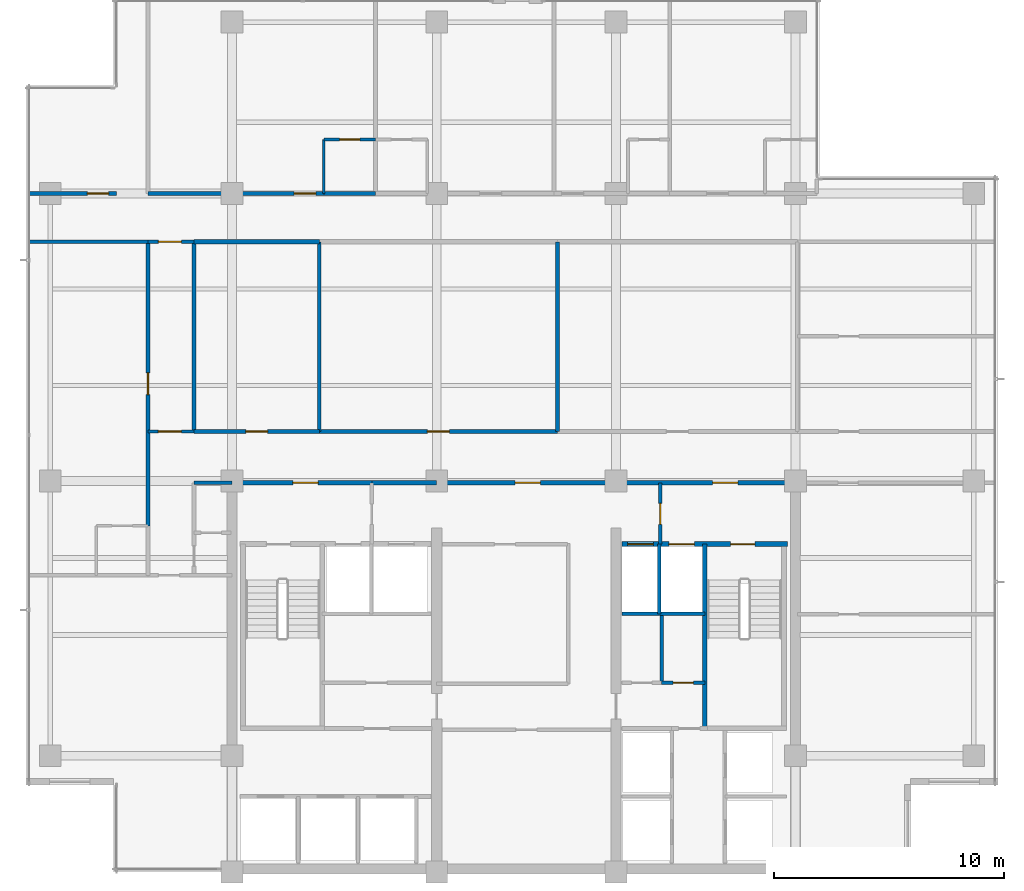
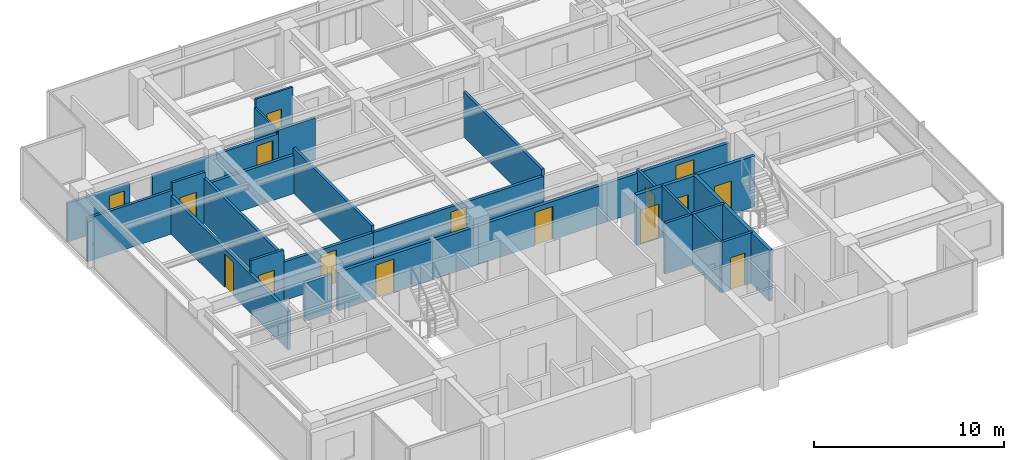
# One storey, part 8 of 15: 27 walls, 16 doors, 16 openings.
"""IFC4 building model written with IfcOpenShell, lengths in metres."""

from ifc_helpers import new_model, si_unit, direction, frame, frame_2d, origin, place, context, subcontext, project, spatial, rectangle, extrude, material, layer, layer_set, type_object, element, fill, save


model = new_model("IFC4")

# Units and contexts
model_context = context("Model", 3, precision=1e-05, world=origin(), true_north=direction((0.0, 1.0)))
body_context = subcontext(model_context, "Body", "Model", "MODEL_VIEW")
ifc_project = project(units=[si_unit("LENGTHUNIT", "METRE"), si_unit("AREAUNIT", "SQUARE_METRE"), si_unit("VOLUMEUNIT", "CUBIC_METRE"), si_unit("PLANEANGLEUNIT", "RADIAN"), si_unit("MASSUNIT", "GRAM", prefix="KILO")], contexts=[model_context])

# Site, building, storey
site_placement = place(None, origin())
site = spatial("IfcSite", under=ifc_project, at=site_placement, CompositionType="ELEMENT")
building_placement = place(site_placement, origin())
building = spatial("IfcBuilding", under=site, at=building_placement, Name="Qalmaran Belvedere Hotel", CompositionType="ELEMENT")
storey_placement = place(building_placement, frame((0.0, 0.0, 231.89990234375)))
storey = spatial("IfcBuildingStorey", under=building, at=storey_placement, Name="L59", CompositionType="ELEMENT", Elevation=231.89990234375)

# Wall, opening, door
ifc_material_1 = material(Name="Moisture-Resistant Gypsum")
ifc_layer_1 = layer(ifc_material_1, 0.1201171875, Name="Moisture-Resistant Gypsum")
ifc_layer_set_1 = layer_set([ifc_layer_1], Name="Moisture-Resistant Gypsum")
wall_type_1 = type_object("IfcWallType", Name="WL-INT-120-BATH", PredefinedType="PARTITIONING", material=ifc_layer_set_1)
wall_1_placement = place(storey_placement, frame((24.290283203125, 35.35009765625, 0.0), z_axis=(0.0, 0.0, 1.0), x_axis=(1.0, 0.0, 0.0)))
wall_1 = element("IfcWall", 1, at=wall_1_placement, inside=storey, type_object=wall_type_1, Name="L59 Partition WL-L59-NBN00", PredefinedType="PARTITIONING", context=body_context, shape_type="SweptSolid", body=[
    extrude(rectangle(XDim=2.25, YDim=0.1201171875, at=frame_2d((1.125, 0.0))), origin(), (0.0, 0.0, 1.0), 3.260009765625),
])
opening_1_placement = place(wall_1_placement, frame((1.56494140625, 0.0, 0.0), z_axis=(0.0, 0.0, 1.0), x_axis=(-1.0, 0.0, 0.0)))
opening_1 = element("IfcOpeningElement", 2, at=opening_1_placement, cuts=wall_1, Name="Opening D-BATH", PredefinedType="OPENING", context=body_context, shape_type="SweptSolid", body=[
    extrude(rectangle(XDim=0.8798828125, YDim=2.080078125, at=frame_2d((0.43994140625, 1.0400390625))), frame((0.0, 0.070068359375, 0.0), z_axis=(0.0, -1.0, 0.0), x_axis=(1.0, 0.0, 0.0)), (0.0, 0.0, 1.0), 0.14013671875),
])
ifc_material_2 = material(Name="Engineered Oak Veneer")
door_type_1 = type_object("IfcDoorType", Name="DR-INT-BATH-880X2080", OperationType="NOTDEFINED", PredefinedType="DOOR", material=ifc_material_2)
door_1_placement = place(opening_1_placement, origin())
door_1 = element("IfcDoor", 3, at=door_1_placement, inside=storey, type_object=door_type_1, Name="L59 Ensuite Bathroom Door N01", OperationType="SINGLE_SWING_LEFT", OverallHeight=2.080078125, OverallWidth=0.8798828125, PredefinedType="DOOR", context=body_context, shape_type="SweptSolid", body=[
    extrude(rectangle(XDim=0.8798828125, YDim=2.080078125, at=frame_2d((0.43994140625, 1.0400390625))), frame((0.0, 0.02490234375, 0.0), z_axis=(0.0, -1.0, 0.0), x_axis=(1.0, 0.0, 0.0)), (0.0, 0.0, 1.0), 0.050048828125),
])
fill(opening_1, door_1)

# Walls
wall_2_placement = place(storey_placement, frame((24.290283203125, 33.0, 0.0), z_axis=(0.0, 0.0, 1.0), x_axis=(0.0, 1.0, 0.0)))
element("IfcWall", 4, at=wall_2_placement, inside=storey, type_object=wall_type_1, Name="L59 Partition WL-L59-NBS00", PredefinedType="PARTITIONING", context=body_context, shape_type="SweptSolid", body=[
    extrude(rectangle(XDim=2.35009765625, YDim=0.1201171875, at=frame_2d((1.175048828125, 0.0))), origin(), (0.0, 0.0, 1.0), 2.7060546875),
])
ifc_material_3 = material(Name="Gypsum Stud Partition")
ifc_layer_2 = layer(ifc_material_3, 0.14990234375, Name="Gypsum Stud Partition")
ifc_layer_set_2 = layer_set([ifc_layer_2], Name="Gypsum Stud Partition")
wall_type_2 = type_object("IfcWallType", Name="WL-INT-150-EI120", PredefinedType="PARTITIONING", material=ifc_layer_set_2)
wall_3_placement = place(storey_placement, frame((38.8798828125, 14.719970703125, 0.0), z_axis=(0.0, 0.0, 1.0), x_axis=(0.0, 1.0, 0.0)))
element("IfcWall", 5, at=wall_3_placement, inside=storey, type_object=wall_type_2, Name="L59 Partition WL-FF2M-L59", PredefinedType="PARTITIONING", context=body_context, shape_type="SweptSolid", body=[
    extrude(rectangle(XDim=3.0400390625, YDim=0.14990234375, at=frame_2d((1.52001953125, 0.0))), origin(), (0.0, 0.0, 1.0), 3.260009765625),
])
ifc_layer_3 = layer(ifc_material_3, 0.14990234375, Name="Gypsum Stud Partition")
ifc_layer_set_3 = layer_set([ifc_layer_3], Name="Gypsum Stud Partition")
wall_type_3 = type_object("IfcWallType", Name="WL-INT-150-EI60", PredefinedType="PARTITIONING", material=ifc_layer_set_3)
wall_4_placement = place(storey_placement, frame((38.98291015625, 11.719970703125, 0.0), z_axis=(0.0, 0.0, 1.0), x_axis=(0.0, 1.0, 0.0)))
element("IfcWall", 6, at=wall_4_placement, inside=storey, type_object=wall_type_3, Name="L59 Partition WL-L59-KEV1", PredefinedType="PARTITIONING", context=body_context, shape_type="SweptSolid", body=[
    extrude(rectangle(XDim=2.929931640625, YDim=0.14990234375, at=frame_2d((1.46484375, 0.0))), origin(), (0.0, 0.0, 1.0), 3.260009765625),
])

# Wall, opening, door
wall_5_placement = place(storey_placement, frame((16.64990234375, 22.64990234375, 0.0), z_axis=(0.0, 0.0, 1.0), x_axis=(1.0, 0.0, 0.0)))
wall_5 = element("IfcWall", 7, at=wall_5_placement, inside=storey, type_object=wall_type_3, Name="L59 Partition WL-L59-XCW1", PredefinedType="PARTITIONING", context=body_context, shape_type="SweptSolid", body=[
    extrude(rectangle(XDim=2.0, YDim=0.14990234375, at=frame_2d((1.0, 0.0))), origin(), (0.0, 0.0, 1.0), 3.260009765625),
])
opening_2_placement = place(wall_5_placement, frame((0.449951171875, 0.0, 0.0)))
opening_2 = element("IfcOpeningElement", 8, at=opening_2_placement, cuts=wall_5, Name="Opening FD90B", PredefinedType="OPENING", context=body_context, shape_type="SweptSolid", body=[
    extrude(rectangle(XDim=1.0, YDim=2.14990234375, at=frame_2d((0.5, 1.074951171875))), frame((0.0, 0.0849609375, 0.0), z_axis=(0.0, -1.0, 0.0), x_axis=(1.0, 0.0, 0.0)), (0.0, 0.0, 1.0), 0.169921875),
])
ifc_material_4 = material(Name="Steel S355JR", Category="steel")
door_type_2 = type_object("IfcDoorType", Name="DR-FD90B-1000X2150", OperationType="NOTDEFINED", PredefinedType="DOOR", material=ifc_material_4)
door_2_placement = place(opening_2_placement, origin())
door_2 = element("IfcDoor", 9, at=door_2_placement, inside=storey, type_object=door_type_2, Name="L59 West Corridor Smoke Door S", OperationType="SINGLE_SWING_RIGHT", OverallHeight=2.14990234375, OverallWidth=1.0, PredefinedType="DOOR", context=body_context, shape_type="SweptSolid", body=[
    extrude(rectangle(XDim=1.0, YDim=2.14990234375, at=frame_2d((0.5, 1.074951171875))), frame((0.0, 0.02490234375, 0.0), z_axis=(0.0, -1.0, 0.0), x_axis=(1.0, 0.0, 0.0)), (0.0, 0.0, 1.0), 0.050048828125),
])
fill(opening_2, door_2)

wall_6_placement = place(storey_placement, frame((16.64990234375, 30.89990234375, 0.0), z_axis=(0.0, 0.0, 1.0), x_axis=(1.0, 0.0, 0.0)))
wall_6 = element("IfcWall", 10, at=wall_6_placement, inside=storey, type_object=wall_type_3, Name="L59 Partition WL-L59-XCW2", PredefinedType="PARTITIONING", context=body_context, shape_type="SweptSolid", body=[
    extrude(rectangle(XDim=2.0, YDim=0.14990234375, at=frame_2d((1.0, 0.0))), origin(), (0.0, 0.0, 1.0), 3.260009765625),
])
opening_3_placement = place(wall_6_placement, frame((0.449951171875, 0.0, 0.0)))
opening_3 = element("IfcOpeningElement", 11, at=opening_3_placement, cuts=wall_6, Name="Opening FD90B", PredefinedType="OPENING", context=body_context, shape_type="SweptSolid", body=[
    extrude(rectangle(XDim=1.0, YDim=2.14990234375, at=frame_2d((0.5, 1.074951171875))), frame((0.0, 0.0849609375, 0.0), z_axis=(0.0, -1.0, 0.0), x_axis=(1.0, 0.0, 0.0)), (0.0, 0.0, 1.0), 0.169921875),
])
door_3_placement = place(opening_3_placement, origin())
door_3 = element("IfcDoor", 12, at=door_3_placement, inside=storey, type_object=door_type_2, Name="L59 West Corridor Smoke Door N", OperationType="SINGLE_SWING_LEFT", OverallHeight=2.14990234375, OverallWidth=1.0, PredefinedType="DOOR", context=body_context, shape_type="SweptSolid", body=[
    extrude(rectangle(XDim=1.0, YDim=2.14990234375, at=frame_2d((0.5, 1.074951171875))), frame((0.0, 0.02490234375, 0.0), z_axis=(0.0, -1.0, 0.0), x_axis=(1.0, 0.0, 0.0)), (0.0, 0.0, 1.0), 0.050048828125),
])
fill(opening_3, door_3)

ifc_layer_4 = layer(ifc_material_3, 0.159912109375, Name="Gypsum Stud Partition")
ifc_layer_set_4 = layer_set([ifc_layer_4], Name="Gypsum Stud Partition")
wall_type_4 = type_object("IfcWallType", Name="WL-INT-160-EI120", PredefinedType="PARTITIONING", material=ifc_layer_set_4)
wall_7_placement = place(storey_placement, frame((38.919921875, 17.760009765625, 0.0), z_axis=(0.0, 0.0, 1.0), x_axis=(0.0, 1.0, 0.0)))
wall_7 = element("IfcWall", 13, at=wall_7_placement, inside=storey, type_object=wall_type_4, Name="L59 Partition WL-FFSV2-L59", PredefinedType="PARTITIONING", context=body_context, shape_type="SweptSolid", body=[
    extrude(rectangle(XDim=2.659912109375, YDim=0.159912109375, at=frame_2d((1.330078125, 0.0))), origin(), (0.0, 0.0, 1.0), 2.7060546875),
])
opening_4_placement = place(wall_7_placement, frame((1.77001953125, 0.0, 0.0), z_axis=(0.0, 0.0, 1.0), x_axis=(-1.0, 0.0, 0.0)))
opening_4 = element("IfcOpeningElement", 14, at=opening_4_placement, cuts=wall_7, Name="Opening FD60S1", PredefinedType="OPENING", context=body_context, shape_type="SweptSolid", body=[
    extrude(rectangle(XDim=0.919921875, YDim=2.080078125, at=frame_2d((0.4599609375, 1.0400390625))), frame((0.0, 0.08984375, 0.0), z_axis=(0.0, -1.0, 0.0), x_axis=(1.0, 0.0, 0.0)), (0.0, 0.0, 1.0), 0.179931640625),
])
door_type_3 = type_object("IfcDoorType", Name="DR-FD60S-920X2080", OperationType="NOTDEFINED", PredefinedType="DOOR", material=ifc_material_2)
door_4_placement = place(opening_4_placement, origin())
door_4 = element("IfcDoor", 15, at=door_4_placement, inside=storey, type_object=door_type_3, Name="L59 Service Lobby East Door", OperationType="SINGLE_SWING_LEFT", OverallHeight=2.080078125, OverallWidth=0.919921875, PredefinedType="DOOR", context=body_context, shape_type="SweptSolid", body=[
    extrude(rectangle(XDim=0.919921875, YDim=2.080078125, at=frame_2d((0.4599609375, 1.0400390625))), frame((0.0, 0.02490234375, 0.0), z_axis=(0.0, -1.0, 0.0), x_axis=(1.0, 0.0, 0.0)), (0.0, 0.0, 1.0), 0.050048828125),
])
fill(opening_4, door_4)

# Wall
wall_8_placement = place(storey_placement, frame((37.25, 14.719970703125, 0.0), z_axis=(0.0, 0.0, 1.0), x_axis=(1.0, 0.0, 0.0)))
element("IfcWall", 16, at=wall_8_placement, inside=storey, type_object=wall_type_4, Name="L59 Partition WL-FF2S-L59", PredefinedType="PARTITIONING", context=body_context, shape_type="SweptSolid", body=[
    extrude(rectangle(XDim=3.610107421875, YDim=0.159912109375, at=frame_2d((1.80517578125, 0.0))), origin(), (0.0, 0.0, 1.0), 3.260009765625),
])

# Wall, opening, door
ifc_layer_5 = layer(ifc_material_3, 0.159912109375, Name="Gypsum Stud Partition")
ifc_layer_set_5 = layer_set([ifc_layer_5], Name="Gypsum Stud Partition")
wall_type_5 = type_object("IfcWallType", Name="WL-INT-160-EI60", PredefinedType="PARTITIONING", material=ifc_layer_set_5)
wall_9_placement = place(storey_placement, frame((38.98291015625, 11.719970703125, 0.0), z_axis=(0.0, 0.0, 1.0), x_axis=(1.0, 0.0, 0.0)))
wall_9 = element("IfcWall", 17, at=wall_9_placement, inside=storey, type_object=wall_type_5, Name="L59 Partition WL-L59-KEE2", PredefinedType="PARTITIONING", context=body_context, shape_type="SweptSolid", body=[
    extrude(rectangle(XDim=1.877197265625, YDim=0.159912109375, at=frame_2d((0.9384765625, 0.0))), origin(), (0.0, 0.0, 1.0), 3.260009765625),
])
opening_5_placement = place(wall_9_placement, frame((0.49853515625, 0.0, 0.0)))
opening_5 = element("IfcOpeningElement", 18, at=opening_5_placement, cuts=wall_9, Name="Opening FD60B", PredefinedType="OPENING", context=body_context, shape_type="SweptSolid", body=[
    extrude(rectangle(XDim=0.8798828125, YDim=2.080078125, at=frame_2d((0.43994140625, 1.0400390625))), frame((0.0, 0.08984375, 0.0), z_axis=(0.0, -1.0, 0.0), x_axis=(1.0, 0.0, 0.0)), (0.0, 0.0, 1.0), 0.179931640625),
])
door_type_4 = type_object("IfcDoorType", Name="DR-FD60B-880X2080", OperationType="NOTDEFINED", PredefinedType="DOOR", material=ifc_material_4)
door_5_placement = place(opening_5_placement, origin())
door_5 = element("IfcDoor", 19, at=door_5_placement, inside=storey, type_object=door_type_4, Name="L59 Low Voltage Switch Room Door", OperationType="SINGLE_SWING_LEFT", OverallHeight=2.080078125, OverallWidth=0.8798828125, PredefinedType="DOOR", context=body_context, shape_type="SweptSolid", body=[
    extrude(rectangle(XDim=0.8798828125, YDim=2.080078125, at=frame_2d((0.43994140625, 1.0400390625))), frame((0.0, 0.02490234375, 0.0), z_axis=(0.0, -1.0, 0.0), x_axis=(1.0, 0.0, 0.0)), (0.0, 0.0, 1.0), 0.050048828125),
])
fill(opening_5, door_5)

# Walls
wall_10_placement = place(storey_placement, frame((18.64990234375, 20.419921875, 0.0), z_axis=(0.0, 0.0, 1.0), x_axis=(1.0, 0.0, 0.0)))
element("IfcWall", 20, at=wall_10_placement, inside=storey, type_object=wall_type_5, Name="L59 Partition WL-L59-WCLN", PredefinedType="PARTITIONING", context=body_context, shape_type="SweptSolid", body=[
    extrude(rectangle(XDim=1.650146484375, YDim=0.159912109375, at=frame_2d((0.8251953125, 0.0))), origin(), (0.0, 0.0, 1.0), 2.47216796875),
])
for number, where, z_axis, x_axis, name in (
    (21, (18.64990234375, 22.64990234375, 0.0), (0.0, 0.0, 1.0), (0.0, 1.0, 0.0), "L59 Partition WL-L59-MIDVL"),
    (22, (24.10009765625, 22.64990234375, 0.0), (0.0, 0.0, 1.0), (0.0, 1.0, 0.0), "L59 Partition WL-L59-MIDVR1"),
    (23, (34.449951171875, 22.64990234375, 0.0), (0.0, 0.0, 1.0), (0.0, 1.0, 0.0), "L59 Partition WL-L59-MIDVR2"),
):
    element("IfcWall", number, at=place(storey_placement, frame(where, z_axis=z_axis, x_axis=x_axis)), inside=storey, type_object=wall_type_5, Name=name, PredefinedType="PARTITIONING", context=body_context, shape_type="SweptSolid", body=[
        extrude(rectangle(XDim=8.25, YDim=0.159912109375, at=frame_2d((4.125, 0.0))), origin(), (0.0, 0.0, 1.0), 2.88720703125),
    ])
wall_11_placement = place(storey_placement, frame((11.469970703125, 30.89990234375, 0.0), z_axis=(0.0, 0.0, 1.0), x_axis=(1.0, 0.0, 0.0)))
element("IfcWall", 24, at=wall_11_placement, inside=storey, type_object=wall_type_5, Name="L59 Partition WL-L59-WU00", PredefinedType="PARTITIONING", context=body_context, shape_type="SweptSolid", body=[
    extrude(rectangle(XDim=5.179931640625, YDim=0.159912109375, at=frame_2d((2.58984375, 0.0))), origin(), (0.0, 0.0, 1.0), 2.781982421875),
])

# Wall, opening, door
ifc_layer_6 = layer(ifc_material_3, 0.179931640625, Name="Gypsum Stud Partition")
ifc_layer_set_6 = layer_set([ifc_layer_6], Name="Gypsum Stud Partition")
wall_type_6 = type_object("IfcWallType", Name="WL-INT-180-EI60", PredefinedType="PARTITIONING", material=ifc_layer_set_6)
wall_12_placement = place(storey_placement, frame((18.64990234375, 22.64990234375, 0.0), z_axis=(0.0, 0.0, 1.0), x_axis=(1.0, 0.0, 0.0)))
wall_12 = element("IfcWall", 25, at=wall_12_placement, inside=storey, type_object=wall_type_6, Name="L59 Partition WL-L59-MIDD1", PredefinedType="PARTITIONING", context=body_context, shape_type="SweptSolid", body=[
    extrude(rectangle(XDim=5.4501953125, YDim=0.179931640625, at=frame_2d((2.72509765625, 0.0))), origin(), (0.0, 0.0, 1.0), 2.47216796875),
])
opening_6_placement = place(wall_12_placement, frame((2.25, 0.0, 0.0)))
opening_6 = element("IfcOpeningElement", 26, at=opening_6_placement, cuts=wall_12, Name="Opening FD60", PredefinedType="OPENING", context=body_context, shape_type="SweptSolid", body=[
    extrude(rectangle(XDim=0.949951171875, YDim=2.14990234375, at=frame_2d((0.47509765625, 1.074951171875))), frame((0.0, 0.10009765625, 0.0), z_axis=(0.0, -1.0, 0.0), x_axis=(1.0, 0.0, 0.0)), (0.0, 0.0, 1.0), 0.199951171875),
])
door_type_5 = type_object("IfcDoorType", Name="DR-FD60-950X2150", OperationType="NOTDEFINED", PredefinedType="DOOR", material=ifc_material_2)
door_6_placement = place(opening_6_placement, origin())
door_6 = element("IfcDoor", 27, at=door_6_placement, inside=storey, type_object=door_type_5, Name="L59 Housekeeping and Linen Room Door", OperationType="SINGLE_SWING_RIGHT", OverallHeight=2.14990234375, OverallWidth=0.949951171875, PredefinedType="DOOR", context=body_context, shape_type="SweptSolid", body=[
    extrude(rectangle(XDim=0.949951171875, YDim=2.14990234375, at=frame_2d((0.47509765625, 1.074951171875))), frame((0.0, 0.02490234375, 0.0), z_axis=(0.0, -1.0, 0.0), x_axis=(1.0, 0.0, 0.0)), (0.0, 0.0, 1.0), 0.050048828125),
])
fill(opening_6, door_6)

# Wall
wall_13_placement = place(storey_placement, frame((18.64990234375, 30.89990234375, 0.0), z_axis=(0.0, 0.0, 1.0), x_axis=(1.0, 0.0, 0.0)))
element("IfcWall", 28, at=wall_13_placement, inside=storey, type_object=wall_type_6, Name="L59 Partition WL-L59-MIDO1", PredefinedType="PARTITIONING", context=body_context, shape_type="SweptSolid", body=[
    extrude(rectangle(XDim=5.4501953125, YDim=0.179931640625, at=frame_2d((2.72509765625, 0.0))), origin(), (0.0, 0.0, 1.0), 2.47216796875),
])

# Wall, opening, door
wall_14_placement = place(storey_placement, frame((24.10009765625, 22.64990234375, 0.0), z_axis=(0.0, 0.0, 1.0), x_axis=(1.0, 0.0, 0.0)))
wall_14 = element("IfcWall", 29, at=wall_14_placement, inside=storey, type_object=wall_type_6, Name="L59 Partition WL-L59-MIDD2", PredefinedType="PARTITIONING", context=body_context, shape_type="SweptSolid", body=[
    extrude(rectangle(XDim=10.349853515625, YDim=0.179931640625, at=frame_2d((5.1748046875, 0.0))), origin(), (0.0, 0.0, 1.0), 2.47216796875),
])
opening_7_placement = place(wall_14_placement, frame((4.699951171875, 0.0, 0.0)))
opening_7 = element("IfcOpeningElement", 30, at=opening_7_placement, cuts=wall_14, Name="Opening FD60", PredefinedType="OPENING", context=body_context, shape_type="SweptSolid", body=[
    extrude(rectangle(XDim=0.949951171875, YDim=2.14990234375, at=frame_2d((0.47509765625, 1.074951171875))), frame((0.0, 0.10009765625, 0.0), z_axis=(0.0, -1.0, 0.0), x_axis=(1.0, 0.0, 0.0)), (0.0, 0.0, 1.0), 0.199951171875),
])
door_7_placement = place(opening_7_placement, origin())
door_7 = element("IfcDoor", 31, at=door_7_placement, inside=storey, type_object=door_type_5, Name="L59 Luggage Store Door", OperationType="SINGLE_SWING_LEFT", OverallHeight=2.14990234375, OverallWidth=0.949951171875, PredefinedType="DOOR", context=body_context, shape_type="SweptSolid", body=[
    extrude(rectangle(XDim=0.949951171875, YDim=2.14990234375, at=frame_2d((0.47509765625, 1.074951171875))), frame((0.0, 0.02490234375, 0.0), z_axis=(0.0, -1.0, 0.0), x_axis=(1.0, 0.0, 0.0)), (0.0, 0.0, 1.0), 0.050048828125),
])
fill(opening_7, door_7)

# Wall
wall_15_placement = place(storey_placement, frame((24.290283203125, 33.0, 0.0), z_axis=(0.0, 0.0, 1.0), x_axis=(1.0, 0.0, 0.0)))
element("IfcWall", 32, at=wall_15_placement, inside=storey, type_object=wall_type_6, Name="L59 Partition WL-L59-NBC00", PredefinedType="PARTITIONING", context=body_context, shape_type="SweptSolid", body=[
    extrude(rectangle(XDim=2.25, YDim=0.179931640625, at=frame_2d((1.125, 0.0))), origin(), (0.0, 0.0, 1.0), 2.7060546875),
])

# Wall, opening, door
wall_16_placement = place(storey_placement, frame((16.64990234375, 33.0, 0.0), z_axis=(0.0, 0.0, 1.0), x_axis=(1.0, 0.0, 0.0)))
wall_16 = element("IfcWall", 33, at=wall_16_placement, inside=storey, type_object=wall_type_6, Name="L59 Partition WL-L59-NEC00", PredefinedType="PARTITIONING", context=body_context, shape_type="SweptSolid", body=[
    extrude(rectangle(XDim=7.640380859375, YDim=0.179931640625, at=frame_2d((3.8203125, 0.0))), origin(), (0.0, 0.0, 1.0), 2.47216796875),
])
opening_8_placement = place(wall_16_placement, frame((6.352294921875, 0.0, 0.0)))
opening_8 = element("IfcOpeningElement", 34, at=opening_8_placement, cuts=wall_16, Name="Opening FD60", PredefinedType="OPENING", context=body_context, shape_type="SweptSolid", body=[
    extrude(rectangle(XDim=0.949951171875, YDim=2.14990234375, at=frame_2d((0.47509765625, 1.074951171875))), frame((0.0, 0.10009765625, 0.0), z_axis=(0.0, -1.0, 0.0), x_axis=(1.0, 0.0, 0.0)), (0.0, 0.0, 1.0), 0.199951171875),
])
door_8_placement = place(opening_8_placement, origin())
door_8 = element("IfcDoor", 35, at=door_8_placement, inside=storey, type_object=door_type_5, Name="L59 Guest Entrance Door N01", OperationType="SINGLE_SWING_RIGHT", OverallHeight=2.14990234375, OverallWidth=0.949951171875, PredefinedType="DOOR", context=body_context, shape_type="SweptSolid", body=[
    extrude(rectangle(XDim=0.949951171875, YDim=2.14990234375, at=frame_2d((0.47509765625, 1.074951171875))), frame((0.0, 0.02490234375, 0.0), z_axis=(0.0, -1.0, 0.0), x_axis=(1.0, 0.0, 0.0)), (0.0, 0.0, 1.0), 0.050048828125),
])
fill(opening_8, door_8)

wall_17_placement = place(storey_placement, frame((16.64990234375, 18.550048828125, 0.0), z_axis=(0.0, 0.0, 1.0), x_axis=(0.0, 1.0, 0.0)))
wall_17 = element("IfcWall", 36, at=wall_17_placement, inside=storey, type_object=wall_type_6, Name="L59 Partition WL-L59-WEC00", PredefinedType="PARTITIONING", context=body_context, shape_type="SweptSolid", body=[
    extrude(rectangle(XDim=12.349853515625, YDim=0.179931640625, at=frame_2d((6.1748046875, 0.0))), origin(), (0.0, 0.0, 1.0), 2.47216796875),
])
opening_9_placement = place(wall_17_placement, frame((5.699951171875, 0.0, 0.0)))
opening_9 = element("IfcOpeningElement", 37, at=opening_9_placement, cuts=wall_17, Name="Opening FD60", PredefinedType="OPENING", context=body_context, shape_type="SweptSolid", body=[
    extrude(rectangle(XDim=0.949951171875, YDim=2.14990234375, at=frame_2d((0.47509765625, 1.074951171875))), frame((0.0, 0.10009765625, 0.0), z_axis=(0.0, -1.0, 0.0), x_axis=(1.0, 0.0, 0.0)), (0.0, 0.0, 1.0), 0.199951171875),
])
door_9_placement = place(opening_9_placement, origin())
door_9 = element("IfcDoor", 38, at=door_9_placement, inside=storey, type_object=door_type_5, Name="L59 W Wing Door 01", OperationType="SINGLE_SWING_RIGHT", OverallHeight=2.14990234375, OverallWidth=0.949951171875, PredefinedType="DOOR", context=body_context, shape_type="SweptSolid", body=[
    extrude(rectangle(XDim=0.949951171875, YDim=2.14990234375, at=frame_2d((0.47509765625, 1.074951171875))), frame((0.0, 0.02490234375, 0.0), z_axis=(0.0, -1.0, 0.0), x_axis=(1.0, 0.0, 0.0)), (0.0, 0.0, 1.0), 0.050048828125),
])
fill(opening_9, door_9)

wall_18_placement = place(storey_placement, frame((11.469970703125, 33.0, 0.0), z_axis=(0.0, 0.0, 1.0), x_axis=(1.0, 0.0, 0.0)))
wall_18 = element("IfcWall", 39, at=wall_18_placement, inside=storey, type_object=wall_type_6, Name="L59 Partition WL-L59-NWSD", PredefinedType="PARTITIONING", context=body_context, shape_type="SweptSolid", body=[
    extrude(rectangle(XDim=3.800048828125, YDim=0.179931640625, at=frame_2d((1.89990234375, 0.0))), origin(), (0.0, 0.0, 1.0), 2.47216796875),
])
opening_10_placement = place(wall_18_placement, frame((2.543701171875, 0.0, 0.0)))
opening_10 = element("IfcOpeningElement", 40, at=opening_10_placement, cuts=wall_18, Name="Opening FD60S1", PredefinedType="OPENING", context=body_context, shape_type="SweptSolid", body=[
    extrude(rectangle(XDim=0.919921875, YDim=2.080078125, at=frame_2d((0.4599609375, 1.0400390625))), frame((0.0, 0.10009765625, 0.0), z_axis=(0.0, -1.0, 0.0), x_axis=(1.0, 0.0, 0.0)), (0.0, 0.0, 1.0), 0.199951171875),
])
door_10_placement = place(opening_10_placement, origin())
door_10 = element("IfcDoor", 41, at=door_10_placement, inside=storey, type_object=door_type_3, Name="L59 NW Belvedere Study Door", OperationType="SINGLE_SWING_LEFT", OverallHeight=2.080078125, OverallWidth=0.919921875, PredefinedType="DOOR", context=body_context, shape_type="SweptSolid", body=[
    extrude(rectangle(XDim=0.919921875, YDim=2.080078125, at=frame_2d((0.4599609375, 1.0400390625))), frame((0.0, 0.02490234375, 0.0), z_axis=(0.0, -1.0, 0.0), x_axis=(1.0, 0.0, 0.0)), (0.0, 0.0, 1.0), 0.050048828125),
])
fill(opening_10, door_10)

ifc_material_5 = material(Name="Concrete C30/37 Blockwork", Category="masonry")
ifc_layer_7 = layer(ifc_material_5, 0.199951171875, Name="Concrete C30/37 Blockwork")
ifc_layer_set_7 = layer_set([ifc_layer_7], Name="Concrete C30/37 Blockwork")
wall_type_7 = type_object("IfcWallType", Name="WL-INT-200-EI120", PredefinedType="PARTITIONING", material=ifc_layer_set_7)
wall_19_placement = place(storey_placement, frame((20.64990234375, 20.419921875, 0.0), z_axis=(0.0, 0.0, 1.0), x_axis=(1.0, 0.0, 0.0)))
wall_19 = element("IfcWall", 42, at=wall_19_placement, inside=storey, type_object=wall_type_7, Name="L59 Partition WL-CN1A-L59", PredefinedType="PARTITIONING", context=body_context, shape_type="SweptSolid", body=[
    extrude(rectangle(XDim=5.72998046875, YDim=0.199951171875, at=frame_2d((2.864990234375, 0.0))), origin(), (0.0, 0.0, 1.0), 2.47216796875),
])
opening_11_placement = place(wall_19_placement, frame((2.300048828125, 0.0, 0.0)))
opening_11 = element("IfcOpeningElement", 43, at=opening_11_placement, cuts=wall_19, Name="Opening FD90", PredefinedType="OPENING", context=body_context, shape_type="SweptSolid", body=[
    extrude(rectangle(XDim=1.10009765625, YDim=2.14990234375, at=frame_2d((0.550048828125, 1.074951171875))), frame((0.0, 0.10986328125, 0.0), z_axis=(0.0, -1.0, 0.0), x_axis=(1.0, 0.0, 0.0)), (0.0, 0.0, 1.0), 0.219970703125),
])
door_type_6 = type_object("IfcDoorType", Name="DR-FD90-1100X2150", OperationType="NOTDEFINED", PredefinedType="DOOR", material=ifc_material_4)
door_11_placement = place(opening_11_placement, origin())
door_11 = element("IfcDoor", 44, at=door_11_placement, inside=storey, type_object=door_type_6, Name="L59 FF1 Lobby Corridor Door", OperationType="SINGLE_SWING_RIGHT", OverallHeight=2.14990234375, OverallWidth=1.10009765625, PredefinedType="DOOR", context=body_context, shape_type="SweptSolid", body=[
    extrude(rectangle(XDim=1.10009765625, YDim=2.14990234375, at=frame_2d((0.550048828125, 1.074951171875))), frame((0.0, 0.02490234375, 0.0), z_axis=(0.0, -1.0, 0.0), x_axis=(1.0, 0.0, 0.0)), (0.0, 0.0, 1.0), 0.050048828125),
])
fill(opening_11, door_11)

# Wall
wall_20_placement = place(storey_placement, frame((26.3798828125, 20.419921875, 0.0), z_axis=(0.0, 0.0, 1.0), x_axis=(1.0, 0.0, 0.0)))
element("IfcWall", 45, at=wall_20_placement, inside=storey, type_object=wall_type_7, Name="L59 Partition WL-CN1B-L59", PredefinedType="PARTITIONING", context=body_context, shape_type="SweptSolid", body=[
    extrude(rectangle(XDim=2.820068359375, YDim=0.199951171875, at=frame_2d((1.41015625, 0.0))), origin(), (0.0, 0.0, 1.0), 2.47216796875),
])

# Wall, opening, door
wall_21_placement = place(storey_placement, frame((29.199951171875, 20.419921875, 0.0), z_axis=(0.0, 0.0, 1.0), x_axis=(1.0, 0.0, 0.0)))
wall_21 = element("IfcWall", 46, at=wall_21_placement, inside=storey, type_object=wall_type_7, Name="L59 Partition WL-CN2-L59", PredefinedType="PARTITIONING", context=body_context, shape_type="SweptSolid", body=[
    extrude(rectangle(XDim=7.800048828125, YDim=0.199951171875, at=frame_2d((3.89990234375, 0.0))), origin(), (0.0, 0.0, 1.0), 2.47216796875),
])
opening_12_placement = place(wall_21_placement, frame((3.4091796875, 0.0, 0.0)))
opening_12 = element("IfcOpeningElement", 47, at=opening_12_placement, cuts=wall_21, Name="Opening FD90", PredefinedType="OPENING", context=body_context, shape_type="SweptSolid", body=[
    extrude(rectangle(XDim=1.10009765625, YDim=2.14990234375, at=frame_2d((0.550048828125, 1.074951171875))), frame((0.0, 0.10986328125, 0.0), z_axis=(0.0, -1.0, 0.0), x_axis=(1.0, 0.0, 0.0)), (0.0, 0.0, 1.0), 0.219970703125),
])
door_12_placement = place(opening_12_placement, origin())
door_12 = element("IfcDoor", 48, at=door_12_placement, inside=storey, type_object=door_type_6, Name="L59 Central Lift Lobby Door", OperationType="SINGLE_SWING_LEFT", OverallHeight=2.14990234375, OverallWidth=1.10009765625, PredefinedType="DOOR", context=body_context, shape_type="SweptSolid", body=[
    extrude(rectangle(XDim=1.10009765625, YDim=2.14990234375, at=frame_2d((0.550048828125, 1.074951171875))), frame((0.0, 0.02490234375, 0.0), z_axis=(0.0, -1.0, 0.0), x_axis=(1.0, 0.0, 0.0)), (0.0, 0.0, 1.0), 0.050048828125),
])
fill(opening_12, door_12)

wall_22_placement = place(storey_placement, frame((37.0, 20.419921875, 0.0), z_axis=(0.0, 0.0, 1.0), x_axis=(1.0, 0.0, 0.0)))
wall_22 = element("IfcWall", 49, at=wall_22_placement, inside=storey, type_object=wall_type_7, Name="L59 Partition WL-CN3-L59", PredefinedType="PARTITIONING", context=body_context, shape_type="SweptSolid", body=[
    extrude(rectangle(XDim=7.449951171875, YDim=0.199951171875, at=frame_2d((3.72509765625, 0.0))), origin(), (0.0, 0.0, 1.0), 2.47216796875),
])
opening_13_placement = place(wall_22_placement, frame((4.199951171875, 0.0, 0.0)))
opening_13 = element("IfcOpeningElement", 50, at=opening_13_placement, cuts=wall_22, Name="Opening FD90", PredefinedType="OPENING", context=body_context, shape_type="SweptSolid", body=[
    extrude(rectangle(XDim=1.10009765625, YDim=2.14990234375, at=frame_2d((0.550048828125, 1.074951171875))), frame((0.0, 0.10986328125, 0.0), z_axis=(0.0, -1.0, 0.0), x_axis=(1.0, 0.0, 0.0)), (0.0, 0.0, 1.0), 0.219970703125),
])
door_13_placement = place(opening_13_placement, origin())
door_13 = element("IfcDoor", 51, at=door_13_placement, inside=storey, type_object=door_type_6, Name="L59 FF2 Lobby Corridor Door", OperationType="SINGLE_SWING_RIGHT", OverallHeight=2.14990234375, OverallWidth=1.10009765625, PredefinedType="DOOR", context=body_context, shape_type="SweptSolid", body=[
    extrude(rectangle(XDim=1.10009765625, YDim=2.14990234375, at=frame_2d((0.550048828125, 1.074951171875))), frame((0.0, 0.02490234375, 0.0), z_axis=(0.0, -1.0, 0.0), x_axis=(1.0, 0.0, 0.0)), (0.0, 0.0, 1.0), 0.050048828125),
])
fill(opening_13, door_13)

# Wall
ifc_material_6 = material(Name="Concrete C50/60", Category="concrete")
ifc_layer_8 = layer(ifc_material_6, 0.2099609375, Name="Concrete C50/60")
ifc_layer_set_8 = layer_set([ifc_layer_8], Name="Concrete C50/60")
wall_type_8 = type_object("IfcWallType", Name="WL-STAIR-210-C50", PredefinedType="SHEAR", material=ifc_layer_set_8)
wall_23_placement = place(storey_placement, frame((40.85498046875, 9.7451171875, 0.0), z_axis=(0.0, 0.0, 1.0), x_axis=(0.0, 1.0, 0.0)))
element("IfcWall", 52, at=wall_23_placement, inside=storey, type_object=wall_type_8, Name="L59 Stair ST-2 West Bearing Wall", PredefinedType="SHEAR", context=body_context, shape_type="SweptSolid", body=[
    extrude(rectangle(XDim=8.009765625, YDim=0.2099609375, at=frame_2d((4.0048828125, 0.0))), origin(), (0.0, 0.0, 1.0), 3.260009765625),
])

# Wall, openings, doors
wall_24_placement = place(storey_placement, frame((37.25, 17.7548828125, 0.0), z_axis=(0.0, 0.0, 1.0), x_axis=(1.0, 0.0, 0.0)))
wall_24 = element("IfcWall", 53, at=wall_24_placement, inside=storey, type_object=wall_type_8, Name="L59 East Lobby and Stair ST-2 North Bearing Wall", PredefinedType="SHEAR", context=body_context, shape_type="SweptSolid", body=[
    extrude(rectangle(XDim=7.199951171875, YDim=0.2099609375, at=frame_2d((3.60009765625, 0.0))), origin(), (0.0, 0.0, 1.0), 3.260009765625),
])
opening_14_placement = place(wall_24_placement, frame((0.25, 0.0, 0.0)))
opening_14 = element("IfcOpeningElement", 54, at=opening_14_placement, cuts=wall_24, Name="Opening LD-SV", PredefinedType="OPENING", context=body_context, shape_type="SweptSolid", body=[
    extrude(rectangle(XDim=1.1201171875, YDim=2.199951171875, at=frame_2d((0.56005859375, 1.10009765625))), frame((0.0, 0.114990234375, 0.0), z_axis=(0.0, -1.0, 0.0), x_axis=(1.0, 0.0, 0.0)), (0.0, 0.0, 1.0), 0.22998046875),
])
opening_15_placement = place(wall_24_placement, frame((2.050048828125, 0.0, 0.0)))
opening_15 = element("IfcOpeningElement", 55, at=opening_15_placement, cuts=wall_24, Name="Opening LD-FF", PredefinedType="OPENING", context=body_context, shape_type="SweptSolid", body=[
    extrude(rectangle(XDim=1.10009765625, YDim=2.179931640625, at=frame_2d((0.550048828125, 1.08984375))), frame((0.0, 0.114990234375, 0.0), z_axis=(0.0, -1.0, 0.0), x_axis=(1.0, 0.0, 0.0)), (0.0, 0.0, 1.0), 0.22998046875),
])
opening_16_placement = place(wall_24_placement, frame((5.780029296875, 0.0, 0.0), z_axis=(0.0, 0.0, 1.0), x_axis=(-1.0, 0.0, 0.0)))
opening_16 = element("IfcOpeningElement", 56, at=opening_16_placement, cuts=wall_24, Name="Opening FD90S2", PredefinedType="OPENING", context=body_context, shape_type="SweptSolid", body=[
    extrude(rectangle(XDim=1.050048828125, YDim=2.14990234375, at=frame_2d((0.52490234375, 1.074951171875))), frame((0.0, 0.114990234375, 0.0), z_axis=(0.0, -1.0, 0.0), x_axis=(1.0, 0.0, 0.0)), (0.0, 0.0, 1.0), 0.22998046875),
])
door_type_7 = type_object("IfcDoorType", Name="DR-FD90S-1050X2150", OperationType="NOTDEFINED", PredefinedType="DOOR", material=ifc_material_4)
door_14_placement = place(opening_16_placement, origin())
door_14 = element("IfcDoor", 57, at=door_14_placement, inside=storey, type_object=door_type_7, Name="L59 Stair ST-2 Door", OperationType="SINGLE_SWING_LEFT", OverallHeight=2.14990234375, OverallWidth=1.050048828125, PredefinedType="DOOR", context=body_context, shape_type="SweptSolid", body=[
    extrude(rectangle(XDim=1.050048828125, YDim=2.14990234375, at=frame_2d((0.52490234375, 1.074951171875))), frame((0.0, 0.02490234375, 0.0), z_axis=(0.0, -1.0, 0.0), x_axis=(1.0, 0.0, 0.0)), (0.0, 0.0, 1.0), 0.050048828125),
])
fill(opening_16, door_14)
ifc_material_7 = material(Name="Stainless Steel 1.4401", Category="steel")
door_type_8 = type_object("IfcDoorType", Name="DR-LIFT-FF-1100X2180", OperationType="DOUBLE_DOOR_SLIDING", PredefinedType="DOOR", material=ifc_material_7)
door_15_placement = place(opening_15_placement, origin())
door_15 = element("IfcDoor", 58, at=door_15_placement, inside=storey, type_object=door_type_8, Name="L59 FF2 Lift Landing Door", OperationType="DOUBLE_DOOR_SLIDING", OverallHeight=2.179931640625, OverallWidth=1.10009765625, PredefinedType="DOOR", context=body_context, shape_type="SweptSolid", body=[
    extrude(rectangle(XDim=1.10009765625, YDim=2.179931640625, at=frame_2d((0.550048828125, 1.08984375))), frame((0.0, 0.02490234375, 0.0), z_axis=(0.0, -1.0, 0.0), x_axis=(1.0, 0.0, 0.0)), (0.0, 0.0, 1.0), 0.050048828125),
])
fill(opening_15, door_15)
door_type_9 = type_object("IfcDoorType", Name="DR-LIFT-SV-1120X2200", OperationType="DOUBLE_DOOR_SLIDING", PredefinedType="DOOR", material=ifc_material_7)
door_16_placement = place(opening_14_placement, origin())
door_16 = element("IfcDoor", 59, at=door_16_placement, inside=storey, type_object=door_type_9, Name="L59 SV2 Lift Landing Door", OperationType="DOUBLE_DOOR_SLIDING", OverallHeight=2.199951171875, OverallWidth=1.1201171875, PredefinedType="DOOR", context=body_context, shape_type="SweptSolid", body=[
    extrude(rectangle(XDim=1.1201171875, YDim=2.199951171875, at=frame_2d((0.56005859375, 1.10009765625))), frame((0.0, 0.02490234375, 0.0), z_axis=(0.0, -1.0, 0.0), x_axis=(1.0, 0.0, 0.0)), (0.0, 0.0, 1.0), 0.050048828125),
])
fill(opening_14, door_16)

save(model, "model.ifc")
